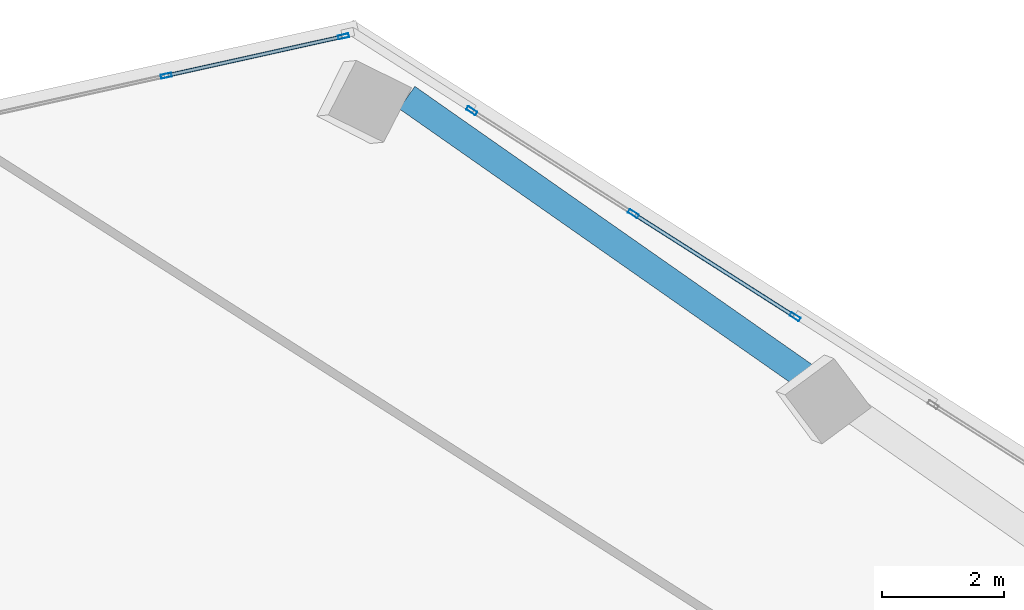
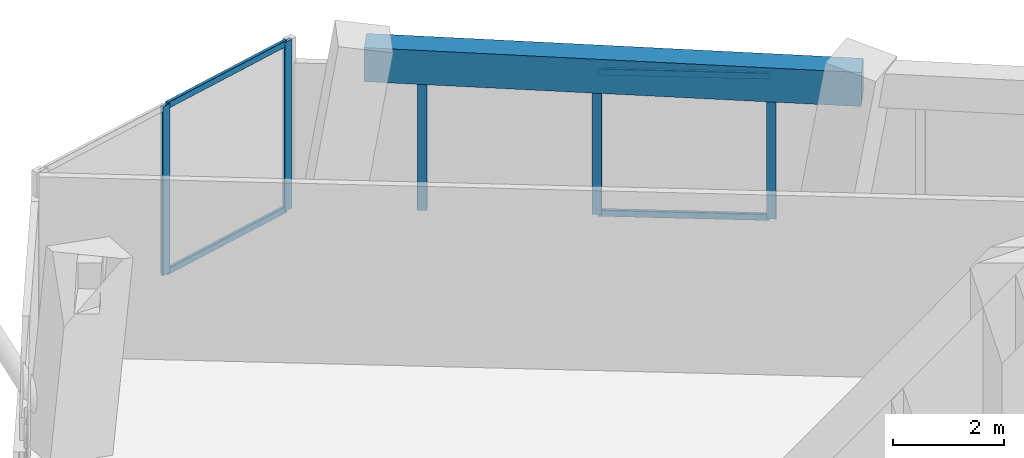
# One storey, part 15 of 24: 9 members, 1 beam, 2 elements without a shape of their own.
"""IFC4 building model written with IfcOpenShell, lengths in metres."""

from ifc_helpers import new_model, si_unit, direction, frame, origin, origin_2d, place, context, subcontext, project, spatial, rectangle, hollow_rectangle, extrude, source, transform, mapped, material, material_profile, profile_set, type_object, element, aggregate, save


model = new_model("IFC4")

# Units and contexts
model_context = context("Model", 3, precision=1e-05, world=origin(), true_north=direction((0.0, 1.0)))
body_context = subcontext(model_context, "Body", "Model", "MODEL_VIEW")
ifc_project = project(units=[si_unit("LENGTHUNIT", "METRE"), si_unit("AREAUNIT", "SQUARE_METRE"), si_unit("VOLUMEUNIT", "CUBIC_METRE"), si_unit("PLANEANGLEUNIT", "RADIAN"), si_unit("MASSUNIT", "GRAM", prefix="KILO")], contexts=[model_context])

# Site, building, storey
site_placement = place(None, origin())
site = spatial("IfcSite", under=ifc_project, at=site_placement, CompositionType="ELEMENT")
building_placement = place(site_placement, origin())
building = spatial("IfcBuilding", under=site, at=building_placement, Name="Torre Montelarca", CompositionType="ELEMENT")
storey_placement = place(building_placement, frame((0.0, 0.0, 191.800048828125)))
storey = spatial("IfcBuildingStorey", under=building, at=storey_placement, Name="L43", CompositionType="ELEMENT", Elevation=191.800048828125)

# Beam
ifc_material_1 = material(Name="Concrete C55/67", Category="concrete")
ifc_material_profile_1 = material_profile(ifc_material_1, rectangle(XDim=0.449951171875, YDim=0.75, at=origin_2d()), Name="RCB450X750", Category="concrete")
ifc_profile_set_1 = profile_set([ifc_material_profile_1], Name="Concrete C55/67")
beam_type = type_object("IfcBeamType", Name="BM-SP-RC750-EXT", PredefinedType="SPANDREL", material=ifc_profile_set_1)
shared_shape_1 = source(origin(), body_context, "Body", "SweptSolid", [
    extrude(rectangle(XDim=0.449951171875, YDim=0.75, at=origin_2d()), origin(), (0.0, 0.0, 1.0), 9.0),
])
beam_placement = place(storey_placement, frame((19.9501953125, 51.579833984375, 3.5849609375), z_axis=(0.819163097304, -0.573560650686, 0.0), x_axis=(0.573560650686, 0.819163097304, 0.0)))
element("IfcBeam", 1, at=beam_placement, inside=storey, type_object=beam_type, Name="L43 Grid Girder X 9.0-18.0 at Y=47.1", PredefinedType="SPANDREL", context=body_context, shape_type="MappedRepresentation", body=[
    mapped(shared_shape_1, transform((0.0, 0.0, 0.0), scale=1.0)),
])

# Curtain wall, members
ifc_material_2 = material(Name="Insulated low-E laminated glass", Category="glass")
curtain_wall_type = type_object("IfcCurtainWallType", Name="CW-SYS-Z2", PredefinedType="USERDEFINED", material=ifc_material_2)
curtain_wall_1_placement = place(storey_placement, origin())
curtain_wall_1 = element("IfcCurtainWall", 2, at=curtain_wall_1_placement, inside=storey, type_object=curtain_wall_type, Name="L43 Curtain Wall Run CW-T3-L43-E09-B1", ObjectType="UNITISED GLAZING", PredefinedType="USERDEFINED")
ifc_material_3 = material(Name="Anodised aluminium AA 6063-T6", Category="aluminium")
ifc_material_profile_2 = material_profile(ifc_material_3, hollow_rectangle(XDim=0.06494140625, YDim=0.139892578125, WallThickness=0.00390625, InnerFilletRadius=0.00390625, OuterFilletRadius=0.008056640625, at=origin_2d()), Name="ALU65X140X4", Category="aluminium")
ifc_profile_set_2 = profile_set([ifc_material_profile_2], Name="Anodised aluminium AA 6063-T6")
member_type_1 = type_object("IfcMemberType", Name="CWT-ALU140", PredefinedType="USERDEFINED", material=ifc_profile_set_2)
shared_shape_2 = source(origin(), body_context, "Body", "SweptSolid", [
    extrude(hollow_rectangle(XDim=0.06494140625, YDim=0.139892578125, WallThickness=0.00390625, InnerFilletRadius=0.00390625, OuterFilletRadius=0.008056640625, at=origin_2d()), origin(), (0.0, 0.0, 1.0), 2.91845703125),
])
member_1_placement = place(storey_placement, frame((18.874267578125, 52.578369140625, 0.032470703125), z_axis=(-0.976303049034, -0.216407847472, 0.0), x_axis=(0.216407847472, -0.976303049034, 0.0)))
member_1 = element("IfcMember", 3, at=member_1_placement, type_object=member_type_1, Name="CW transom 1.1", ObjectType="TRANSOM", PredefinedType="USERDEFINED", context=body_context, shape_type="MappedRepresentation", body=[
    mapped(shared_shape_2, transform((0.0, 0.0, 0.0), scale=1.0)),
])
member_2_placement = place(storey_placement, frame((18.874267578125, 52.578369140625, 3.6875), z_axis=(-0.976303049034, -0.216407847472, 0.0), x_axis=(0.216407847472, -0.976303049034, 0.0)))
member_2 = element("IfcMember", 4, at=member_2_placement, type_object=member_type_1, Name="CW transom 1.2", ObjectType="TRANSOM", PredefinedType="USERDEFINED", context=body_context, shape_type="MappedRepresentation", body=[
    mapped(shared_shape_2, transform((0.0, 0.0, 0.0), scale=1.0)),
])
ifc_material_profile_3 = material_profile(ifc_material_3, hollow_rectangle(XDim=0.06494140625, YDim=0.179931640625, WallThickness=0.00390625, InnerFilletRadius=0.00390625, OuterFilletRadius=0.008056640625, at=origin_2d()), Name="ALU65X180X4", Category="aluminium")
ifc_profile_set_3 = profile_set([ifc_material_profile_3], Name="Anodised aluminium AA 6063-T6")
member_type_2 = type_object("IfcMemberType", Name="CWM-ALU180", PredefinedType="MULLION", material=ifc_profile_set_3)
shared_shape_3 = source(origin(), body_context, "Body", "SweptSolid", [
    extrude(hollow_rectangle(XDim=0.06494140625, YDim=0.179931640625, WallThickness=0.00390625, InnerFilletRadius=0.00390625, OuterFilletRadius=0.008056640625, at=origin_2d()), origin(), (0.0, 0.0, 1.0), 3.719970703125),
])
member_3_placement = place(storey_placement, frame((18.906005859375, 52.58544921875, 0.0), z_axis=(0.0, 0.0, 1.0), x_axis=(0.216447743923, -0.97629420471, 0.0)))
member_3 = element("IfcMember", 5, at=member_3_placement, type_object=member_type_2, Name="CW mullion 1", PredefinedType="MULLION", context=body_context, shape_type="MappedRepresentation", body=[
    mapped(shared_shape_3, transform((0.0, 0.0, 0.0), scale=1.0)),
])
member_4_placement = place(storey_placement, frame((15.9931640625, 51.939697265625, 0.0), z_axis=(0.0, 0.0, 1.0), x_axis=(0.216447743923, -0.97629420471, 0.0)))
member_4 = element("IfcMember", 6, at=member_4_placement, type_object=member_type_2, Name="CW mullion 2", PredefinedType="MULLION", context=body_context, shape_type="MappedRepresentation", body=[
    mapped(shared_shape_3, transform((0.0, 0.0, 0.0), scale=1.0)),
])
aggregate(curtain_wall_1, [member_3, member_4, member_1, member_2])

curtain_wall_2_placement = place(storey_placement, origin())
curtain_wall_2 = element("IfcCurtainWall", 7, at=curtain_wall_2_placement, inside=storey, type_object=curtain_wall_type, Name="L43 Curtain Wall Run CW-T3-L43-E08-B4", ObjectType="UNITISED GLAZING", PredefinedType="USERDEFINED")
shared_shape_4 = source(origin(), body_context, "Body", "SweptSolid", [
    extrude(hollow_rectangle(XDim=0.06494140625, YDim=0.179931640625, WallThickness=0.00390625, InnerFilletRadius=0.00390625, OuterFilletRadius=0.008056640625, at=origin_2d()), origin(), (0.0, 0.0, 1.0), 3.175048828125),
])
member_5_placement = place(storey_placement, frame((26.32861328125, 47.977783203125, 0.0), z_axis=(0.0, 0.0, 1.0), x_axis=(-0.537307315665, -0.84338653566, 0.0)))
member_5 = element("IfcMember", 8, at=member_5_placement, type_object=member_type_2, Name="CW mullion 1", PredefinedType="MULLION", context=body_context, shape_type="MappedRepresentation", body=[
    mapped(shared_shape_4, transform((0.0, 0.0, 0.0), scale=1.0)),
])
member_6_placement = place(storey_placement, frame((23.6708984375, 49.6708984375, 0.0), z_axis=(0.0, 0.0, 1.0), x_axis=(-0.537307315665, -0.84338653566, 0.0)))
member_6 = element("IfcMember", 9, at=member_6_placement, type_object=member_type_2, Name="CW mullion 2", PredefinedType="MULLION", context=body_context, shape_type="MappedRepresentation", body=[
    mapped(shared_shape_4, transform((0.0, 0.0, 0.0), scale=1.0)),
])
member_7_placement = place(storey_placement, frame((21.013427734375, 51.3642578125, 0.0), z_axis=(0.0, 0.0, 1.0), x_axis=(-0.537307315665, -0.84338653566, 0.0)))
member_7 = element("IfcMember", 10, at=member_7_placement, type_object=member_type_2, Name="CW mullion 3", PredefinedType="MULLION", context=body_context, shape_type="MappedRepresentation", body=[
    mapped(shared_shape_4, transform((0.0, 0.0, 0.0), scale=1.0)),
])
shared_shape_5 = source(origin(), body_context, "Body", "SweptSolid", [
    extrude(hollow_rectangle(XDim=0.06494140625, YDim=0.139892578125, WallThickness=0.00390625, InnerFilletRadius=0.00390625, OuterFilletRadius=0.008056640625, at=origin_2d()), origin(), (0.0, 0.0, 1.0), 3.08642578125),
])
member_8_placement = place(storey_placement, frame((26.30126953125, 47.995361328125, 0.032470703125), z_axis=(-0.843407329686, 0.537274674848, 0.0), x_axis=(-0.537274674848, -0.843407329686, 0.0)))
member_8 = element("IfcMember", 11, at=member_8_placement, type_object=member_type_1, Name="CW transom 1.1", ObjectType="TRANSOM", PredefinedType="USERDEFINED", context=body_context, shape_type="MappedRepresentation", body=[
    mapped(shared_shape_5, transform((0.0, 0.0, 0.0), scale=1.0)),
])
member_9_placement = place(storey_placement, frame((26.30126953125, 47.995361328125, 3.142333984375), z_axis=(-0.843407329686, 0.537274674848, 0.0), x_axis=(-0.537274674848, -0.843407329686, 0.0)))
member_9 = element("IfcMember", 12, at=member_9_placement, type_object=member_type_1, Name="CW transom 1.2", ObjectType="TRANSOM", PredefinedType="USERDEFINED", context=body_context, shape_type="MappedRepresentation", body=[
    mapped(shared_shape_5, transform((0.0, 0.0, 0.0), scale=1.0)),
])
aggregate(curtain_wall_2, [member_5, member_6, member_7, member_8, member_9])

save(model, "model.ifc")
